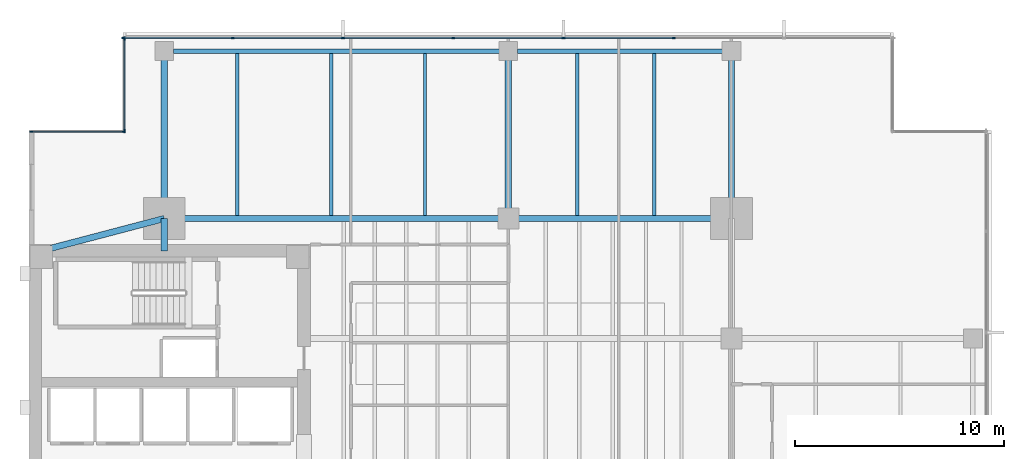
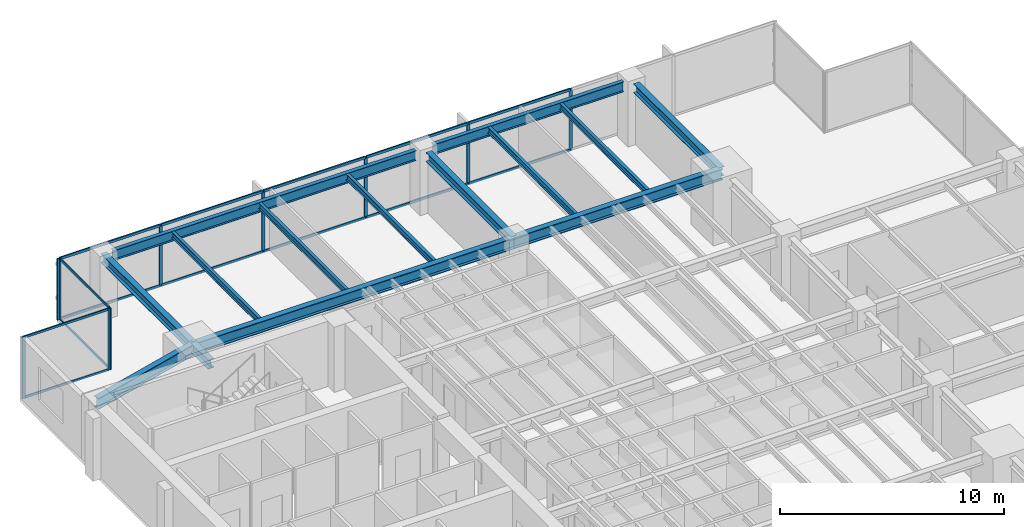
# One storey, part 6 of 15: 24 members, 14 beams, 3 elements without a shape of their own.
"""IFC4 building model written with IfcOpenShell, lengths in metres."""

from ifc_helpers import new_model, si_unit, direction, frame, origin, origin_2d, place, context, subcontext, project, spatial, rectangle, i_section, extrude, material, layer, layer_set, material_profile, profile_set, type_object, element, aggregate, save


model = new_model("IFC4")

# Units and contexts
model_context = context("Model", 3, precision=1e-05, world=origin(), true_north=direction((0.0, 1.0)))
body_context = subcontext(model_context, "Body", "Model", "MODEL_VIEW")
ifc_project = project(units=[si_unit("LENGTHUNIT", "METRE"), si_unit("AREAUNIT", "SQUARE_METRE"), si_unit("VOLUMEUNIT", "CUBIC_METRE"), si_unit("PLANEANGLEUNIT", "RADIAN"), si_unit("MASSUNIT", "GRAM", prefix="KILO")], contexts=[model_context])

# Site, building, storey
site_placement = place(None, origin())
site = spatial("IfcSite", under=ifc_project, at=site_placement, CompositionType="ELEMENT")
building_placement = place(site_placement, origin())
building = spatial("IfcBuilding", under=site, at=building_placement, Name="Kinhvarn Gate Tower", CompositionType="ELEMENT")
storey_placement = place(building_placement, frame((0.0, 0.0, 169.699951171875)))
storey = spatial("IfcBuildingStorey", under=building, at=storey_placement, Name="L45", CompositionType="ELEMENT", Elevation=169.699951171875)

# Curtain wall, members
ifc_material_1 = material(Name="Anodised aluminium AW-6063", Category="aluminium")
ifc_layer_1 = layer(ifc_material_1, 0.179931640625)
ifc_layer_set_1 = layer_set([ifc_layer_1], Name="Anodised aluminium AW-6063")
curtain_wall_type_1 = type_object("IfcCurtainWallType", Name="CW-SYS-3", PredefinedType="NOTDEFINED", material=ifc_layer_set_1)
curtain_wall_1_placement = place(storey_placement, origin())
curtain_wall_1 = element("IfcCurtainWall", 1, at=curtain_wall_1_placement, inside=storey, type_object=curtain_wall_type_1, Name="Curtain Wall CW3 (L45)", PredefinedType="NOTDEFINED")
ifc_material_profile_1 = material_profile(ifc_material_1, rectangle(XDim=0.06494140625, YDim=0.159912109375, at=origin_2d()), Name="ALU 65x160")
ifc_profile_set_1 = profile_set([ifc_material_profile_1], Name="Anodised aluminium AW-6063")
member_type_1 = type_object("IfcMemberType", Name="CW-MUL-160", PredefinedType="MULLION", material=ifc_profile_set_1)
member_1_placement = place(storey_placement, frame((35.428466796875, 46.409912109375, 0.0), z_axis=(0.0, 0.0, 1.0), x_axis=(0.0, -1.0, 0.0)))
member_1 = element("IfcMember", 2, at=member_1_placement, type_object=member_type_1, Name="CW3 mullion 3", PredefinedType="MULLION", context=body_context, shape_type="SweptSolid", body=[
    extrude(rectangle(XDim=0.06494140625, YDim=0.159912109375, at=origin_2d()), origin(), (0.0, 0.0, 1.0), 3.35009765625),
])
member_2_placement = place(storey_placement, frame((30.142822265625, 46.409912109375, 0.0), z_axis=(0.0, 0.0, 1.0), x_axis=(0.0, -1.0, 0.0)))
member_2 = element("IfcMember", 3, at=member_2_placement, type_object=member_type_1, Name="CW3 mullion 4", PredefinedType="MULLION", context=body_context, shape_type="SweptSolid", body=[
    extrude(rectangle(XDim=0.06494140625, YDim=0.159912109375, at=origin_2d()), origin(), (0.0, 0.0, 1.0), 3.35009765625),
])
member_3_placement = place(storey_placement, frame((24.857177734375, 46.409912109375, 0.0), z_axis=(0.0, 0.0, 1.0), x_axis=(0.0, -1.0, 0.0)))
member_3 = element("IfcMember", 4, at=member_3_placement, type_object=member_type_1, Name="CW3 mullion 5", PredefinedType="MULLION", context=body_context, shape_type="SweptSolid", body=[
    extrude(rectangle(XDim=0.06494140625, YDim=0.159912109375, at=origin_2d()), origin(), (0.0, 0.0, 1.0), 3.35009765625),
])
member_4_placement = place(storey_placement, frame((19.571533203125, 46.409912109375, 0.0), z_axis=(0.0, 0.0, 1.0), x_axis=(0.0, -1.0, 0.0)))
member_4 = element("IfcMember", 5, at=member_4_placement, type_object=member_type_1, Name="CW3 mullion 6", PredefinedType="MULLION", context=body_context, shape_type="SweptSolid", body=[
    extrude(rectangle(XDim=0.06494140625, YDim=0.159912109375, at=origin_2d()), origin(), (0.0, 0.0, 1.0), 3.35009765625),
])
member_5_placement = place(storey_placement, frame((14.28564453125, 46.409912109375, 0.0), z_axis=(0.0, 0.0, 1.0), x_axis=(0.0, -1.0, 0.0)))
member_5 = element("IfcMember", 6, at=member_5_placement, type_object=member_type_1, Name="CW3 mullion 7", PredefinedType="MULLION", context=body_context, shape_type="SweptSolid", body=[
    extrude(rectangle(XDim=0.06494140625, YDim=0.159912109375, at=origin_2d()), origin(), (0.0, 0.0, 1.0), 3.35009765625),
])
member_6_placement = place(storey_placement, frame((9.032470703125, 46.409912109375, 0.0), z_axis=(0.0, 0.0, 1.0), x_axis=(0.0, -1.0, 0.0)))
member_6 = element("IfcMember", 7, at=member_6_placement, type_object=member_type_1, Name="CW3 mullion 8", PredefinedType="MULLION", context=body_context, shape_type="SweptSolid", body=[
    extrude(rectangle(XDim=0.06494140625, YDim=0.159912109375, at=origin_2d()), origin(), (0.0, 0.0, 1.0), 3.35009765625),
])

ifc_layer_2 = layer(ifc_material_1, 0.179931640625)
ifc_layer_set_2 = layer_set([ifc_layer_2], Name="Anodised aluminium AW-6063")
curtain_wall_type_2 = type_object("IfcCurtainWallType", Name="CW-SYS-4", PredefinedType="NOTDEFINED", material=ifc_layer_set_2)
curtain_wall_2_placement = place(storey_placement, origin())
curtain_wall_2 = element("IfcCurtainWall", 8, at=curtain_wall_2_placement, inside=storey, type_object=curtain_wall_type_2, Name="Curtain Wall CW4 (L45)", PredefinedType="NOTDEFINED")
member_7_placement = place(storey_placement, frame((9.090087890625, 46.37744140625, 0.0), z_axis=(0.0, 0.0, 1.0), x_axis=(1.0, 0.0, 0.0)))
member_7 = element("IfcMember", 9, at=member_7_placement, type_object=member_type_1, Name="CW4 mullion 1", PredefinedType="MULLION", context=body_context, shape_type="SweptSolid", body=[
    extrude(rectangle(XDim=0.06494140625, YDim=0.159912109375, at=origin_2d()), origin(), (0.0, 0.0, 1.0), 3.35009765625),
])
member_8_placement = place(storey_placement, frame((9.090087890625, 41.9423828125, 0.0), z_axis=(0.0, 0.0, 1.0), x_axis=(1.0, 0.0, 0.0)))
member_8 = element("IfcMember", 10, at=member_8_placement, type_object=member_type_1, Name="CW4 mullion 2", PredefinedType="MULLION", context=body_context, shape_type="SweptSolid", body=[
    extrude(rectangle(XDim=0.06494140625, YDim=0.159912109375, at=origin_2d()), origin(), (0.0, 0.0, 1.0), 3.35009765625),
])

curtain_wall_3_placement = place(storey_placement, origin())
curtain_wall_3 = element("IfcCurtainWall", 11, at=curtain_wall_3_placement, inside=storey, type_object=curtain_wall_type_2, Name="Curtain Wall CW4 (L45)", PredefinedType="NOTDEFINED")
member_9_placement = place(storey_placement, frame((9.0576171875, 41.909912109375, 0.0), z_axis=(0.0, 0.0, 1.0), x_axis=(0.0, -1.0, 0.0)))
member_9 = element("IfcMember", 12, at=member_9_placement, type_object=member_type_1, Name="CW4 mullion 1", PredefinedType="MULLION", context=body_context, shape_type="SweptSolid", body=[
    extrude(rectangle(XDim=0.06494140625, YDim=0.159912109375, at=origin_2d()), origin(), (0.0, 0.0, 1.0), 3.35009765625),
])
member_10_placement = place(storey_placement, frame((4.62255859375, 41.909912109375, 0.0), z_axis=(0.0, 0.0, 1.0), x_axis=(0.0, -1.0, 0.0)))
member_10 = element("IfcMember", 13, at=member_10_placement, type_object=member_type_1, Name="CW4 mullion 2", PredefinedType="MULLION", context=body_context, shape_type="SweptSolid", body=[
    extrude(rectangle(XDim=0.06494140625, YDim=0.159912109375, at=origin_2d()), origin(), (0.0, 0.0, 1.0), 3.35009765625),
])

# Member
ifc_material_profile_2 = material_profile(ifc_material_1, rectangle(XDim=0.06494140625, YDim=0.1201171875, at=origin_2d()), Name="ALU 65x120")
ifc_profile_set_2 = profile_set([ifc_material_profile_2], Name="Anodised aluminium AW-6063")
member_type_2 = type_object("IfcMemberType", Name="CW-TRN-120", PredefinedType="USERDEFINED", material=ifc_profile_set_2)
member_11_placement = place(storey_placement, frame((9.090087890625, 46.344970703125, 0.032470703125), z_axis=(0.0, -1.0, 0.0), x_axis=(1.0, 0.0, 0.0)))
member_11 = element("IfcMember", 14, at=member_11_placement, type_object=member_type_2, Name="CW4 transom 1.1", ObjectType="TRANSOM", PredefinedType="USERDEFINED", context=body_context, shape_type="SweptSolid", body=[
    extrude(rectangle(XDim=0.06494140625, YDim=0.1201171875, at=origin_2d()), origin(), (0.0, 0.0, 1.0), 4.369873046875),
])

member_12_placement = place(storey_placement, frame((9.090087890625, 46.344970703125, 3.317626953125), z_axis=(0.0, -1.0, 0.0), x_axis=(1.0, 0.0, 0.0)))
member_12 = element("IfcMember", 15, at=member_12_placement, type_object=member_type_2, Name="CW4 transom 1.2", ObjectType="TRANSOM", PredefinedType="USERDEFINED", context=body_context, shape_type="SweptSolid", body=[
    extrude(rectangle(XDim=0.06494140625, YDim=0.1201171875, at=origin_2d()), origin(), (0.0, 0.0, 1.0), 4.369873046875),
])

aggregate(curtain_wall_2, [member_7, member_8, member_11, member_12])

member_13_placement = place(storey_placement, frame((9.02490234375, 41.909912109375, 0.032470703125), z_axis=(-1.0, 0.0, 0.0), x_axis=(0.0, -1.0, 0.0)))
member_13 = element("IfcMember", 16, at=member_13_placement, type_object=member_type_2, Name="CW4 transom 1.1", ObjectType="TRANSOM", PredefinedType="USERDEFINED", context=body_context, shape_type="SweptSolid", body=[
    extrude(rectangle(XDim=0.06494140625, YDim=0.1201171875, at=origin_2d()), origin(), (0.0, 0.0, 1.0), 4.369873046875),
])

member_14_placement = place(storey_placement, frame((9.02490234375, 41.909912109375, 3.317626953125), z_axis=(-1.0, 0.0, 0.0), x_axis=(0.0, -1.0, 0.0)))
member_14 = element("IfcMember", 17, at=member_14_placement, type_object=member_type_2, Name="CW4 transom 1.2", ObjectType="TRANSOM", PredefinedType="USERDEFINED", context=body_context, shape_type="SweptSolid", body=[
    extrude(rectangle(XDim=0.06494140625, YDim=0.1201171875, at=origin_2d()), origin(), (0.0, 0.0, 1.0), 4.369873046875),
])

aggregate(curtain_wall_3, [member_9, member_10, member_13, member_14])

ifc_material_profile_3 = material_profile(ifc_material_1, rectangle(XDim=0.070068359375, YDim=0.139892578125, at=origin_2d()), Name="ALU 70x140")
ifc_profile_set_3 = profile_set([ifc_material_profile_3], Name="Anodised aluminium AW-6063")
member_type_3 = type_object("IfcMemberType", Name="CW-TRN-140", PredefinedType="USERDEFINED", material=ifc_profile_set_3)
member_15_placement = place(storey_placement, frame((35.39599609375, 46.409912109375, 0.03515625), z_axis=(-1.0, 0.0, 0.0), x_axis=(0.0, -1.0, 0.0)))
member_15 = element("IfcMember", 18, at=member_15_placement, type_object=member_type_3, Name="CW3 transom 3.1", ObjectType="TRANSOM", PredefinedType="USERDEFINED", context=body_context, shape_type="SweptSolid", body=[
    extrude(rectangle(XDim=0.070068359375, YDim=0.139892578125, at=origin_2d()), origin(), (0.0, 0.0, 1.0), 5.220703125),
])

member_16_placement = place(storey_placement, frame((35.39599609375, 46.409912109375, 3.31494140625), z_axis=(-1.0, 0.0, 0.0), x_axis=(0.0, -1.0, 0.0)))
member_16 = element("IfcMember", 19, at=member_16_placement, type_object=member_type_3, Name="CW3 transom 3.2", ObjectType="TRANSOM", PredefinedType="USERDEFINED", context=body_context, shape_type="SweptSolid", body=[
    extrude(rectangle(XDim=0.070068359375, YDim=0.139892578125, at=origin_2d()), origin(), (0.0, 0.0, 1.0), 5.220703125),
])

member_17_placement = place(storey_placement, frame((30.1103515625, 46.409912109375, 0.03515625), z_axis=(-1.0, 0.0, 0.0), x_axis=(0.0, -1.0, 0.0)))
member_17 = element("IfcMember", 20, at=member_17_placement, type_object=member_type_3, Name="CW3 transom 4.1", ObjectType="TRANSOM", PredefinedType="USERDEFINED", context=body_context, shape_type="SweptSolid", body=[
    extrude(rectangle(XDim=0.070068359375, YDim=0.139892578125, at=origin_2d()), origin(), (0.0, 0.0, 1.0), 5.220703125),
])

member_18_placement = place(storey_placement, frame((30.1103515625, 46.409912109375, 3.31494140625), z_axis=(-1.0, 0.0, 0.0), x_axis=(0.0, -1.0, 0.0)))
member_18 = element("IfcMember", 21, at=member_18_placement, type_object=member_type_3, Name="CW3 transom 4.2", ObjectType="TRANSOM", PredefinedType="USERDEFINED", context=body_context, shape_type="SweptSolid", body=[
    extrude(rectangle(XDim=0.070068359375, YDim=0.139892578125, at=origin_2d()), origin(), (0.0, 0.0, 1.0), 5.220703125),
])

member_19_placement = place(storey_placement, frame((24.82470703125, 46.409912109375, 0.03515625), z_axis=(-1.0, 0.0, 0.0), x_axis=(0.0, -1.0, 0.0)))
member_19 = element("IfcMember", 22, at=member_19_placement, type_object=member_type_3, Name="CW3 transom 5.1", ObjectType="TRANSOM", PredefinedType="USERDEFINED", context=body_context, shape_type="SweptSolid", body=[
    extrude(rectangle(XDim=0.070068359375, YDim=0.139892578125, at=origin_2d()), origin(), (0.0, 0.0, 1.0), 5.220703125),
])

member_20_placement = place(storey_placement, frame((24.82470703125, 46.409912109375, 3.31494140625), z_axis=(-1.0, 0.0, 0.0), x_axis=(0.0, -1.0, 0.0)))
member_20 = element("IfcMember", 23, at=member_20_placement, type_object=member_type_3, Name="CW3 transom 5.2", ObjectType="TRANSOM", PredefinedType="USERDEFINED", context=body_context, shape_type="SweptSolid", body=[
    extrude(rectangle(XDim=0.070068359375, YDim=0.139892578125, at=origin_2d()), origin(), (0.0, 0.0, 1.0), 5.220703125),
])

member_21_placement = place(storey_placement, frame((19.538818359375, 46.409912109375, 0.03515625), z_axis=(-1.0, 0.0, 0.0), x_axis=(0.0, -1.0, 0.0)))
member_21 = element("IfcMember", 24, at=member_21_placement, type_object=member_type_3, Name="CW3 transom 6.1", ObjectType="TRANSOM", PredefinedType="USERDEFINED", context=body_context, shape_type="SweptSolid", body=[
    extrude(rectangle(XDim=0.070068359375, YDim=0.139892578125, at=origin_2d()), origin(), (0.0, 0.0, 1.0), 5.220703125),
])

member_22_placement = place(storey_placement, frame((19.538818359375, 46.409912109375, 3.31494140625), z_axis=(-1.0, 0.0, 0.0), x_axis=(0.0, -1.0, 0.0)))
member_22 = element("IfcMember", 25, at=member_22_placement, type_object=member_type_3, Name="CW3 transom 6.2", ObjectType="TRANSOM", PredefinedType="USERDEFINED", context=body_context, shape_type="SweptSolid", body=[
    extrude(rectangle(XDim=0.070068359375, YDim=0.139892578125, at=origin_2d()), origin(), (0.0, 0.0, 1.0), 5.220703125),
])

member_23_placement = place(storey_placement, frame((14.253173828125, 46.409912109375, 0.03515625), z_axis=(-1.0, 0.0, 0.0), x_axis=(0.0, -1.0, 0.0)))
member_23 = element("IfcMember", 26, at=member_23_placement, type_object=member_type_3, Name="CW3 transom 7.1", ObjectType="TRANSOM", PredefinedType="USERDEFINED", context=body_context, shape_type="SweptSolid", body=[
    extrude(rectangle(XDim=0.070068359375, YDim=0.139892578125, at=origin_2d()), origin(), (0.0, 0.0, 1.0), 5.188232421875),
])

member_24_placement = place(storey_placement, frame((14.253173828125, 46.409912109375, 3.31494140625), z_axis=(-1.0, 0.0, 0.0), x_axis=(0.0, -1.0, 0.0)))
member_24 = element("IfcMember", 27, at=member_24_placement, type_object=member_type_3, Name="CW3 transom 7.2", ObjectType="TRANSOM", PredefinedType="USERDEFINED", context=body_context, shape_type="SweptSolid", body=[
    extrude(rectangle(XDim=0.070068359375, YDim=0.139892578125, at=origin_2d()), origin(), (0.0, 0.0, 1.0), 5.188232421875),
])

aggregate(curtain_wall_1, [member_1, member_2, member_3, member_4, member_5, member_6, member_15, member_16, member_17, member_18, member_19, member_20, member_21, member_22, member_23, member_24])

# Beams
ifc_material_2 = material(Name="Steel S355", Category="steel")
ifc_material_profile_4 = material_profile(ifc_material_2, i_section(OverallWidth=0.300048828125, OverallDepth=0.5, WebThickness=0.014404296875, FlangeThickness=0.028076171875, at=origin_2d()), Name="HEB 500")
ifc_profile_set_4 = profile_set([ifc_material_profile_4], Name="Steel S355")
beam_type_1 = type_object("IfcBeamType", Name="STL-HEB500", PredefinedType="BEAM", material=ifc_profile_set_4)
beam_1_placement = place(storey_placement, frame((11.0, 36.199951171875, 3.10009765625), z_axis=(0.0, 1.0, 0.0), x_axis=(-1.0, 0.0, 0.0)))
element("IfcBeam", 28, at=beam_1_placement, inside=storey, type_object=beam_type_1, Name="Floor Beam PG-14 (L45 MCW-CN)", PredefinedType="BEAM", context=body_context, shape_type="SweptSolid", body=[
    extrude(i_section(OverallWidth=0.300048828125, OverallDepth=0.5, WebThickness=0.014404296875, FlangeThickness=0.028076171875, at=origin_2d()), origin(), (0.0, 0.0, 1.0), 1.550048828125),
])
beam_2_placement = place(storey_placement, frame((11.0, 37.75, 3.10009765625), z_axis=(0.0, 1.0, 0.0), x_axis=(-1.0, 0.0, 0.0)))
element("IfcBeam", 29, at=beam_2_placement, inside=storey, type_object=beam_type_1, Name="Floor Beam PG-14 (L45 MCW-N)", PredefinedType="BEAM", context=body_context, shape_type="SweptSolid", body=[
    extrude(i_section(OverallWidth=0.300048828125, OverallDepth=0.5, WebThickness=0.014404296875, FlangeThickness=0.028076171875, at=origin_2d()), origin(), (0.0, 0.0, 1.0), 8.030029296875),
])
for number, where, z_axis, x_axis, name in (
    (30, (27.5, 37.75, 3.10009765625), (0.0, 1.0, 0.0), (-1.0, 0.0, 0.0), "Floor Beam PG-14 (L45 SP27-N-TIE)"),
    (31, (38.199951171875, 37.75, 3.10009765625), (0.0, 1.0, 0.0), (-1.0, 0.0, 0.0), "Floor Beam PG-14 (L45 MCE-N)"),
):
    element("IfcBeam", number, at=place(storey_placement, frame(where, z_axis=z_axis, x_axis=x_axis)), inside=storey, type_object=beam_type_1, Name=name, PredefinedType="BEAM", context=body_context, shape_type="SweptSolid", body=[
        extrude(i_section(OverallWidth=0.300048828125, OverallDepth=0.5, WebThickness=0.014404296875, FlangeThickness=0.028076171875, at=origin_2d()), origin(), (0.0, 0.0, 1.0), 7.594970703125),
    ])
ifc_material_profile_5 = material_profile(ifc_material_2, i_section(OverallWidth=0.300048828125, OverallDepth=0.60009765625, WebThickness=0.015380859375, FlangeThickness=0.030029296875, at=origin_2d()), Name="HEB 600")
ifc_profile_set_5 = profile_set([ifc_material_profile_5], Name="Steel S355")
beam_type_2 = type_object("IfcBeamType", Name="STL-HEB600", PredefinedType="BEAM", material=ifc_profile_set_5)
beam_3_placement = place(storey_placement, frame((11.0, 37.75, 3.050048828125), z_axis=(1.0, 0.0, 0.0), x_axis=(0.0, 1.0, 0.0)))
element("IfcBeam", 32, at=beam_3_placement, inside=storey, type_object=beam_type_2, Name="Floor Beam PG-16 (L45 MG-N1)", PredefinedType="BEAM", context=body_context, shape_type="SweptSolid", body=[
    extrude(i_section(OverallWidth=0.300048828125, OverallDepth=0.60009765625, WebThickness=0.015380859375, FlangeThickness=0.030029296875, at=origin_2d()), origin(), (0.0, 0.0, 1.0), 16.5),
])
beam_4_placement = place(storey_placement, frame((27.5, 37.75, 3.050048828125), z_axis=(1.0, 0.0, 0.0), x_axis=(0.0, 1.0, 0.0)))
element("IfcBeam", 33, at=beam_4_placement, inside=storey, type_object=beam_type_2, Name="Floor Beam PG-16 (L45 MG-N2)", PredefinedType="BEAM", context=body_context, shape_type="SweptSolid", body=[
    extrude(i_section(OverallWidth=0.300048828125, OverallDepth=0.60009765625, WebThickness=0.015380859375, FlangeThickness=0.030029296875, at=origin_2d()), origin(), (0.0, 0.0, 1.0), 10.699951171875),
])
beam_5_placement = place(storey_placement, frame((5.10009765625, 36.199951171875, 3.050048828125), z_axis=(0.967177623957, 0.254101246979, 0.0), x_axis=(-0.254101246979, 0.967177623957, 0.0)))
element("IfcBeam", 34, at=beam_5_placement, inside=storey, type_object=beam_type_2, Name="Floor Beam PG-16 (L45 MG-NW-DIAG)", PredefinedType="BEAM", context=body_context, shape_type="SweptSolid", body=[
    extrude(i_section(OverallWidth=0.300048828125, OverallDepth=0.60009765625, WebThickness=0.015380859375, FlangeThickness=0.030029296875, at=origin_2d()), origin(), (0.0, 0.0, 1.0), 6.10009765625),
])
ifc_material_profile_6 = material_profile(ifc_material_2, i_section(OverallWidth=0.159912109375, OverallDepth=0.330078125, WebThickness=0.007568359375, FlangeThickness=0.011474609375, at=origin_2d()), Name="IPE 330")
ifc_profile_set_6 = profile_set([ifc_material_profile_6], Name="Steel S355")
beam_type_3 = type_object("IfcBeamType", Name="STL-IPE330", PredefinedType="JOIST", material=ifc_profile_set_6)
for number, where, z_axis, x_axis, name in (
    (35, (14.5, 37.89990234375, 3.18505859375), (0.0, 1.0, 0.0), (-1.0, 0.0, 0.0), "Floor Joist SB-03 (L45 JN-X145)"),
    (36, (19.0, 37.89990234375, 3.18505859375), (0.0, 1.0, 0.0), (-1.0, 0.0, 0.0), "Floor Joist SB-03 (L45 JN-X190)"),
    (37, (23.5, 37.89990234375, 3.18505859375), (0.0, 1.0, 0.0), (-1.0, 0.0, 0.0), "Floor Joist SB-03 (L45 JN-X235)"),
    (38, (30.800048828125, 37.89990234375, 3.18505859375), (0.0, 1.0, 0.0), (-1.0, 0.0, 0.0), "Floor Joist SB-03 (L45 JN-X308)"),
    (39, (34.5, 37.89990234375, 3.18505859375), (0.0, 1.0, 0.0), (-1.0, 0.0, 0.0), "Floor Joist SB-03 (L45 JN-X345)"),
):
    element("IfcBeam", number, at=place(storey_placement, frame(where, z_axis=z_axis, x_axis=x_axis)), inside=storey, type_object=beam_type_3, Name=name, PredefinedType="JOIST", context=body_context, shape_type="SweptSolid", body=[
        extrude(i_section(OverallWidth=0.159912109375, OverallDepth=0.330078125, WebThickness=0.007568359375, FlangeThickness=0.011474609375, at=origin_2d()), origin(), (0.0, 0.0, 1.0), 7.775146484375),
    ])
ifc_material_profile_7 = material_profile(ifc_material_2, i_section(OverallWidth=0.2099609375, OverallDepth=0.550048828125, WebThickness=0.010986328125, FlangeThickness=0.01708984375, at=origin_2d()), Name="IPE 550")
ifc_profile_set_7 = profile_set([ifc_material_profile_7], Name="Steel S355")
beam_type_4 = type_object("IfcBeamType", Name="STL-IPE550", PredefinedType="SPANDREL", material=ifc_profile_set_7)
beam_6_placement = place(storey_placement, frame((11.43505859375, 45.780029296875, 3.074951171875), z_axis=(1.0, 0.0, 0.0), x_axis=(0.0, 1.0, 0.0)))
element("IfcBeam", 40, at=beam_6_placement, inside=storey, type_object=beam_type_4, Name="Floor Spandrel SB-08 (L45 SP-N1)", PredefinedType="SPANDREL", context=body_context, shape_type="SweptSolid", body=[
    extrude(i_section(OverallWidth=0.2099609375, OverallDepth=0.550048828125, WebThickness=0.010986328125, FlangeThickness=0.01708984375, at=origin_2d()), origin(), (0.0, 0.0, 1.0), 15.6298828125),
])
beam_7_placement = place(storey_placement, frame((27.93505859375, 45.780029296875, 3.074951171875), z_axis=(1.0, 0.0, 0.0), x_axis=(0.0, 1.0, 0.0)))
element("IfcBeam", 41, at=beam_7_placement, inside=storey, type_object=beam_type_4, Name="Floor Spandrel SB-08 (L45 SP-N2)", PredefinedType="SPANDREL", context=body_context, shape_type="SweptSolid", body=[
    extrude(i_section(OverallWidth=0.2099609375, OverallDepth=0.550048828125, WebThickness=0.010986328125, FlangeThickness=0.01708984375, at=origin_2d()), origin(), (0.0, 0.0, 1.0), 9.829833984375),
])

save(model, "model.ifc")
